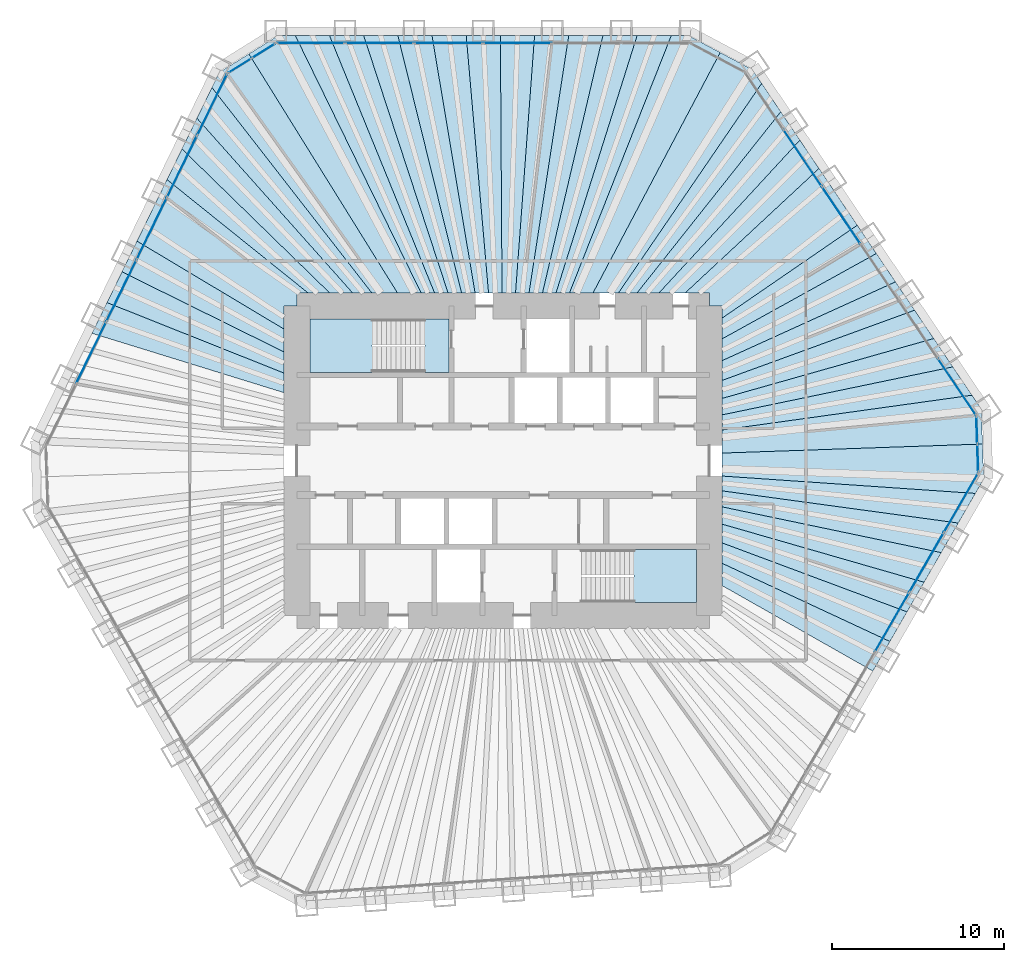
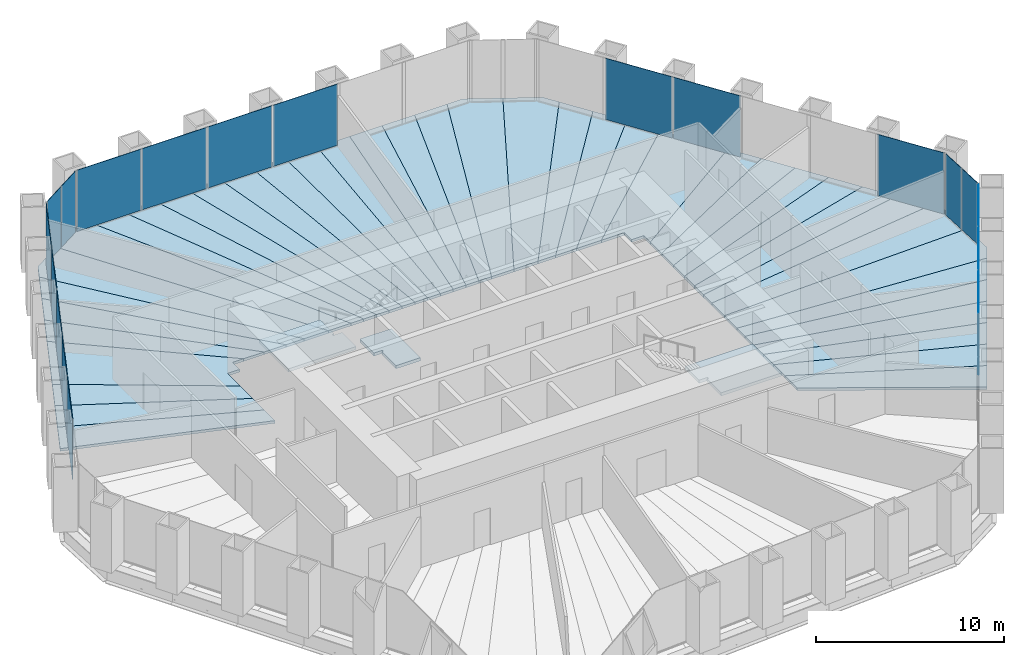
# One storey, part 9 of 13: 43 slabs, 19 plates, 8 elements without a shape of their own.
"""IFC4 building model written with IfcOpenShell, lengths in metres."""

from ifc_helpers import new_model, si_unit, direction, frame, origin, origin_2d, place, context, subcontext, project, spatial, polyline, rectangle, outline, extrude, material, layer, layer_set, type_object, element, aggregate, save


model = new_model("IFC4")

# Units and contexts
model_context = context("Model", 3, precision=1e-05, world=origin(), true_north=direction((0.0, 1.0)))
body_context = subcontext(model_context, "Body", "Model", "MODEL_VIEW")
ifc_project = project(units=[si_unit("LENGTHUNIT", "METRE"), si_unit("AREAUNIT", "SQUARE_METRE"), si_unit("VOLUMEUNIT", "CUBIC_METRE"), si_unit("PLANEANGLEUNIT", "RADIAN"), si_unit("MASSUNIT", "GRAM", prefix="KILO")], contexts=[model_context])

# Site, building, storey
site_placement = place(None, origin())
site = spatial("IfcSite", under=ifc_project, at=site_placement, CompositionType="ELEMENT")
building_placement = place(site_placement, origin())
building = spatial("IfcBuilding", under=site, at=building_placement, Name="Qingtian Harvest Tower", CompositionType="ELEMENT")
storey_placement = place(building_placement, frame((0.0, 0.0, 128.199951171875)))
storey = spatial("IfcBuildingStorey", under=building, at=storey_placement, Name="L26", CompositionType="ELEMENT", Elevation=128.199951171875)

# Slabs
ifc_material_1 = material(Name="Concrete fc' 35 MPa", Category="concrete")
ifc_layer_1 = layer(ifc_material_1, 0.169921875)
ifc_layer_set_1 = layer_set([ifc_layer_1], Name="Composite floor slab FS17 170")
slab_type_1 = type_object("IfcSlabType", Name="Composite floor slab FS17 170", PredefinedType="FLOOR", material=ifc_layer_set_1)
slab_1_placement = place(storey_placement, frame((0.0, 0.0, -0.169921875)))
element("IfcSlab", 1, at=slab_1_placement, inside=storey, type_object=slab_type_1, Name="Floor slab L26 panel D33", PredefinedType="FLOOR", context=body_context, shape_type="SweptSolid", body=[
    extrude(outline(polyline([(12.75, -5.97021484375), (22.51220703125, -10.517578125), (21.517333984375, -12.24072265625), (12.75, -7.268798828125), (12.75, -5.97021484375)])), origin(), (0.0, 0.0, 1.0), 0.169921875),
])
slab_2_placement = place(storey_placement, frame((0.0, 0.0, -0.169921875)))
element("IfcSlab", 2, at=slab_2_placement, inside=storey, type_object=slab_type_1, Name="Floor slab L26 panel D34", PredefinedType="FLOOR", context=body_context, shape_type="SweptSolid", body=[
    extrude(outline(polyline([(12.75, -4.78173828125), (23.50732421875, -8.794189453125), (22.51220703125, -10.517578125), (12.75, -5.97021484375), (12.75, -4.78173828125)])), origin(), (0.0, 0.0, 1.0), 0.169921875),
])
slab_3_placement = place(storey_placement, frame((0.0, 0.0, -0.169921875)))
element("IfcSlab", 3, at=slab_3_placement, inside=storey, type_object=slab_type_1, Name="Floor slab L26 panel D35", PredefinedType="FLOOR", context=body_context, shape_type="SweptSolid", body=[
    extrude(outline(polyline([(12.75, -3.68994140625), (24.502197265625, -7.071044921875), (23.50732421875, -8.794189453125), (12.75, -4.78173828125), (12.75, -3.68994140625)])), origin(), (0.0, 0.0, 1.0), 0.169921875),
])
slab_4_placement = place(storey_placement, frame((0.0, 0.0, -0.169921875)))
element("IfcSlab", 4, at=slab_4_placement, inside=storey, type_object=slab_type_1, Name="Floor slab L26 panel D36", PredefinedType="FLOOR", context=body_context, shape_type="SweptSolid", body=[
    extrude(outline(polyline([(12.75, -2.683349609375), (25.4970703125, -5.34765625), (24.502197265625, -7.071044921875), (12.75, -3.68994140625), (12.75, -2.683349609375)])), origin(), (0.0, 0.0, 1.0), 0.169921875),
])
slab_5_placement = place(storey_placement, frame((0.0, 0.0, -0.169921875)))
element("IfcSlab", 5, at=slab_5_placement, inside=storey, type_object=slab_type_1, Name="Floor slab L26 panel D37", PredefinedType="FLOOR", context=body_context, shape_type="SweptSolid", body=[
    extrude(outline(polyline([(12.75, -1.752685546875), (26.4921875, -3.624267578125), (25.4970703125, -5.34765625), (12.75, -2.683349609375), (12.75, -1.752685546875)])), origin(), (0.0, 0.0, 1.0), 0.169921875),
])
slab_6_placement = place(storey_placement, frame((0.0, 0.0, -0.169921875)))
element("IfcSlab", 6, at=slab_6_placement, inside=storey, type_object=slab_type_1, Name="Floor slab L26 panel D38", PredefinedType="FLOOR", context=body_context, shape_type="SweptSolid", body=[
    extrude(outline(polyline([(12.75, -0.889404296875), (27.487060546875, -1.901123046875), (26.4921875, -3.624267578125), (12.75, -1.752685546875), (12.75, -0.889404296875)])), origin(), (0.0, 0.0, 1.0), 0.169921875),
])
slab_7_placement = place(storey_placement, frame((0.0, 0.0, -0.169921875)))
element("IfcSlab", 7, at=slab_7_placement, inside=storey, type_object=slab_type_1, Name="Floor slab L26 panel D39", PredefinedType="FLOOR", context=body_context, shape_type="SweptSolid", body=[
    extrude(outline(polyline([(12.75, -0.889404296875), (12.75, 0.447509765625), (27.90185546875, 0.974365234375), (27.972900390625, -1.059814453125), (27.487060546875, -1.901123046875), (12.75, -0.889404296875)])), origin(), (0.0, 0.0, 1.0), 0.169921875),
])
slab_8_placement = place(storey_placement, frame((0.0, 0.0, -0.169921875)))
element("IfcSlab", 8, at=slab_8_placement, inside=storey, type_object=slab_type_1, Name="Floor slab L26 panel D40", PredefinedType="FLOOR", context=body_context, shape_type="SweptSolid", body=[
    extrude(outline(polyline([(12.75, 0.447509765625), (12.75, 1.79052734375), (27.287353515625, 3.81396484375), (27.830810546875, 3.008544921875), (27.90185546875, 0.974365234375), (12.75, 0.447509765625)])), origin(), (0.0, 0.0, 1.0), 0.169921875),
])
slab_9_placement = place(storey_placement, frame((0.0, 0.0, -0.169921875)))
element("IfcSlab", 9, at=slab_9_placement, inside=storey, type_object=slab_type_1, Name="Floor slab L26 panel D41", PredefinedType="FLOOR", context=body_context, shape_type="SweptSolid", body=[
    extrude(outline(polyline([(12.75, 2.671142578125), (26.1748046875, 5.463623046875), (27.287353515625, 3.81396484375), (12.75, 1.79052734375), (12.75, 2.671142578125)])), origin(), (0.0, 0.0, 1.0), 0.169921875),
])
slab_10_placement = place(storey_placement, frame((0.0, 0.0, -0.169921875)))
element("IfcSlab", 10, at=slab_10_placement, inside=storey, type_object=slab_type_1, Name="Floor slab L26 panel D42", PredefinedType="FLOOR", context=body_context, shape_type="SweptSolid", body=[
    extrude(outline(polyline([(12.75, 3.6298828125), (25.06201171875, 7.11328125), (26.1748046875, 5.463623046875), (12.75, 2.671142578125), (12.75, 3.6298828125)])), origin(), (0.0, 0.0, 1.0), 0.169921875),
])
slab_11_placement = place(storey_placement, frame((0.0, 0.0, -0.169921875)))
element("IfcSlab", 11, at=slab_11_placement, inside=storey, type_object=slab_type_1, Name="Floor slab L26 panel D43", PredefinedType="FLOOR", context=body_context, shape_type="SweptSolid", body=[
    extrude(outline(polyline([(12.75, 4.677734375), (23.94921875, 8.762939453125), (25.06201171875, 7.11328125), (12.75, 3.6298828125), (12.75, 4.677734375)])), origin(), (0.0, 0.0, 1.0), 0.169921875),
])
slab_12_placement = place(storey_placement, frame((0.0, 0.0, -0.169921875)))
element("IfcSlab", 12, at=slab_12_placement, inside=storey, type_object=slab_type_1, Name="Floor slab L26 panel D44", PredefinedType="FLOOR", context=body_context, shape_type="SweptSolid", body=[
    extrude(outline(polyline([(12.75, 5.828125), (22.83642578125, 10.41259765625), (23.94921875, 8.762939453125), (12.75, 4.677734375), (12.75, 5.828125)])), origin(), (0.0, 0.0, 1.0), 0.169921875),
])
slab_13_placement = place(storey_placement, frame((0.0, 0.0, -0.169921875)))
element("IfcSlab", 13, at=slab_13_placement, inside=storey, type_object=slab_type_1, Name="Floor slab L26 panel D45", PredefinedType="FLOOR", context=body_context, shape_type="SweptSolid", body=[
    extrude(outline(polyline([(12.75, 7.096435546875), (21.723876953125, 12.062255859375), (22.83642578125, 10.41259765625), (12.75, 5.828125), (12.75, 7.096435546875)])), origin(), (0.0, 0.0, 1.0), 0.169921875),
])
slab_14_placement = place(storey_placement, frame((0.0, 0.0, -0.169921875)))
element("IfcSlab", 14, at=slab_14_placement, inside=storey, type_object=slab_type_1, Name="Floor slab L26 panel D46", PredefinedType="FLOOR", context=body_context, shape_type="SweptSolid", body=[
    extrude(outline(polyline([(12.75, 8.30615234375), (20.61328125, 13.708740234375), (21.723876953125, 12.062255859375), (12.75, 7.096435546875), (12.75, 8.30615234375)])), origin(), (0.0, 0.0, 1.0), 0.169921875),
])
slab_15_placement = place(storey_placement, frame((0.0, 0.0, -0.169921875)))
element("IfcSlab", 15, at=slab_15_placement, inside=storey, type_object=slab_type_1, Name="Floor slab L26 panel D48", PredefinedType="FLOOR", context=body_context, shape_type="SweptSolid", body=[
    extrude(outline(polyline([(18.38623046875, 17.010498046875), (20.61328125, 13.708740234375), (12.75, 8.30615234375), (12.75, 9.0), (12.0, 9.0), (12.0, 9.75), (10.578369140625, 9.75), (18.38623046875, 17.010498046875)])), origin(), (0.0, 0.0, 1.0), 0.169921875),
])
slab_16_placement = place(storey_placement, frame((0.0, 0.0, -0.169921875)))
element("IfcSlab", 16, at=slab_16_placement, inside=storey, type_object=slab_type_1, Name="Floor slab L26 panel D49", PredefinedType="FLOOR", context=body_context, shape_type="SweptSolid", body=[
    extrude(outline(polyline([(9.0556640625, 9.75), (17.2734375, 18.66015625), (18.38623046875, 17.010498046875), (10.578369140625, 9.75), (9.0556640625, 9.75)])), origin(), (0.0, 0.0, 1.0), 0.169921875),
])
slab_17_placement = place(storey_placement, frame((0.0, 0.0, -0.169921875)))
element("IfcSlab", 17, at=slab_17_placement, inside=storey, type_object=slab_type_1, Name="Floor slab L26 panel D50", PredefinedType="FLOOR", context=body_context, shape_type="SweptSolid", body=[
    extrude(outline(polyline([(7.781494140625, 9.75), (16.16064453125, 20.31005859375), (17.2734375, 18.66015625), (9.0556640625, 9.75), (7.781494140625, 9.75)])), origin(), (0.0, 0.0, 1.0), 0.169921875),
])
slab_18_placement = place(storey_placement, frame((0.0, 0.0, -0.169921875)))
element("IfcSlab", 18, at=slab_18_placement, inside=storey, type_object=slab_type_1, Name="Floor slab L26 panel D51", PredefinedType="FLOOR", context=body_context, shape_type="SweptSolid", body=[
    extrude(outline(polyline([(6.69970703125, 9.75), (15.0478515625, 21.959716796875), (16.16064453125, 20.31005859375), (7.781494140625, 9.75), (6.69970703125, 9.75)])), origin(), (0.0, 0.0, 1.0), 0.169921875),
])
slab_19_placement = place(storey_placement, frame((0.0, 0.0, -0.169921875)))
element("IfcSlab", 19, at=slab_19_placement, inside=storey, type_object=slab_type_1, Name="Floor slab L26 panel D52", PredefinedType="FLOOR", context=body_context, shape_type="SweptSolid", body=[
    extrude(outline(polyline([(6.69970703125, 9.75), (5.224609375, 9.75), (12.634033203125, 23.759765625), (14.504638671875, 22.765380859375), (15.0478515625, 21.959716796875), (6.69970703125, 9.75)])), origin(), (0.0, 0.0, 1.0), 0.169921875),
])
slab_20_placement = place(storey_placement, frame((0.0, 0.0, -0.169921875)))
element("IfcSlab", 20, at=slab_20_placement, inside=storey, type_object=slab_type_1, Name="Floor slab L26 panel D53", PredefinedType="FLOOR", context=body_context, shape_type="SweptSolid", body=[
    extrude(outline(polyline([(3.856201171875, 9.75), (9.791015625, 24.7548828125), (10.762451171875, 24.7548828125), (12.634033203125, 23.759765625), (5.224609375, 9.75), (3.856201171875, 9.75)])), origin(), (0.0, 0.0, 1.0), 0.169921875),
])
slab_21_placement = place(storey_placement, frame((0.0, 0.0, -0.169921875)))
element("IfcSlab", 21, at=slab_21_placement, inside=storey, type_object=slab_type_1, Name="Floor slab L26 panel D54", PredefinedType="FLOOR", context=body_context, shape_type="SweptSolid", body=[
    extrude(outline(polyline([(3.072509765625, 9.75), (7.80126953125, 24.7548828125), (9.791015625, 24.7548828125), (3.856201171875, 9.75), (3.072509765625, 9.75)])), origin(), (0.0, 0.0, 1.0), 0.169921875),
])
slab_22_placement = place(storey_placement, frame((0.0, 0.0, -0.169921875)))
element("IfcSlab", 22, at=slab_22_placement, inside=storey, type_object=slab_type_1, Name="Floor slab L26 panel D55", PredefinedType="FLOOR", context=body_context, shape_type="SweptSolid", body=[
    extrude(outline(polyline([(2.288818359375, 9.75), (5.811279296875, 24.7548828125), (7.80126953125, 24.7548828125), (3.072509765625, 9.75), (2.288818359375, 9.75)])), origin(), (0.0, 0.0, 1.0), 0.169921875),
])
slab_23_placement = place(storey_placement, frame((0.0, 0.0, -0.169921875)))
element("IfcSlab", 23, at=slab_23_placement, inside=storey, type_object=slab_type_1, Name="Floor slab L26 panel D56", PredefinedType="FLOOR", context=body_context, shape_type="SweptSolid", body=[
    extrude(outline(polyline([(1.505126953125, 9.75), (3.821533203125, 24.7548828125), (5.811279296875, 24.7548828125), (2.288818359375, 9.75), (1.505126953125, 9.75)])), origin(), (0.0, 0.0, 1.0), 0.169921875),
])
slab_24_placement = place(storey_placement, frame((0.0, 0.0, -0.169921875)))
element("IfcSlab", 24, at=slab_24_placement, inside=storey, type_object=slab_type_1, Name="Floor slab L26 panel D57", PredefinedType="FLOOR", context=body_context, shape_type="SweptSolid", body=[
    extrude(outline(polyline([(0.721435546875, 9.75), (1.831787109375, 24.7548828125), (3.821533203125, 24.7548828125), (1.505126953125, 9.75), (0.721435546875, 9.75)])), origin(), (0.0, 0.0, 1.0), 0.169921875),
])
slab_25_placement = place(storey_placement, frame((0.0, 0.0, -0.169921875)))
element("IfcSlab", 25, at=slab_25_placement, inside=storey, type_object=slab_type_1, Name="Floor slab L26 panel D58", PredefinedType="FLOOR", context=body_context, shape_type="SweptSolid", body=[
    extrude(outline(polyline([(-0.062255859375, 9.75), (-0.158203125, 24.7548828125), (1.831787109375, 24.7548828125), (0.721435546875, 9.75), (-0.062255859375, 9.75)])), origin(), (0.0, 0.0, 1.0), 0.169921875),
])
slab_26_placement = place(storey_placement, frame((0.0, 0.0, -0.169921875)))
element("IfcSlab", 26, at=slab_26_placement, inside=storey, type_object=slab_type_1, Name="Floor slab L26 panel D59", PredefinedType="FLOOR", context=body_context, shape_type="SweptSolid", body=[
    extrude(outline(polyline([(-0.845947265625, 9.75), (-2.14794921875, 24.7548828125), (-0.158203125, 24.7548828125), (-0.062255859375, 9.75), (-0.845947265625, 9.75)])), origin(), (0.0, 0.0, 1.0), 0.169921875),
])
slab_27_placement = place(storey_placement, frame((0.0, 0.0, -0.169921875)))
element("IfcSlab", 27, at=slab_27_placement, inside=storey, type_object=slab_type_1, Name="Floor slab L26 panel D60", PredefinedType="FLOOR", context=body_context, shape_type="SweptSolid", body=[
    extrude(outline(polyline([(-1.629638671875, 9.75), (-4.137939453125, 24.7548828125), (-2.14794921875, 24.7548828125), (-0.845947265625, 9.75), (-1.629638671875, 9.75)])), origin(), (0.0, 0.0, 1.0), 0.169921875),
])
slab_28_placement = place(storey_placement, frame((0.0, 0.0, -0.169921875)))
element("IfcSlab", 28, at=slab_28_placement, inside=storey, type_object=slab_type_1, Name="Floor slab L26 panel D61", PredefinedType="FLOOR", context=body_context, shape_type="SweptSolid", body=[
    extrude(outline(polyline([(-2.41357421875, 9.75), (-6.127685546875, 24.7548828125), (-4.137939453125, 24.7548828125), (-1.629638671875, 9.75), (-2.41357421875, 9.75)])), origin(), (0.0, 0.0, 1.0), 0.169921875),
])
slab_29_placement = place(storey_placement, frame((0.0, 0.0, -0.169921875)))
element("IfcSlab", 29, at=slab_29_placement, inside=storey, type_object=slab_type_1, Name="Floor slab L26 panel D62", PredefinedType="FLOOR", context=body_context, shape_type="SweptSolid", body=[
    extrude(outline(polyline([(-3.197265625, 9.75), (-8.117431640625, 24.7548828125), (-6.127685546875, 24.7548828125), (-2.41357421875, 9.75), (-3.197265625, 9.75)])), origin(), (0.0, 0.0, 1.0), 0.169921875),
])
slab_30_placement = place(storey_placement, frame((0.0, 0.0, -0.169921875)))
element("IfcSlab", 30, at=slab_30_placement, inside=storey, type_object=slab_type_1, Name="Floor slab L26 panel D63", PredefinedType="FLOOR", context=body_context, shape_type="SweptSolid", body=[
    extrude(outline(polyline([(-3.98095703125, 9.75), (-10.107421875, 24.7548828125), (-8.117431640625, 24.7548828125), (-3.197265625, 9.75), (-3.98095703125, 9.75)])), origin(), (0.0, 0.0, 1.0), 0.169921875),
])
slab_31_placement = place(storey_placement, frame((0.0, 0.0, -0.169921875)))
element("IfcSlab", 31, at=slab_31_placement, inside=storey, type_object=slab_type_1, Name="Floor slab L26 panel D64", PredefinedType="FLOOR", context=body_context, shape_type="SweptSolid", body=[
    extrude(outline(polyline([(-4.7646484375, 9.75), (-12.09716796875, 24.7548828125), (-10.107421875, 24.7548828125), (-3.98095703125, 9.75), (-4.7646484375, 9.75)])), origin(), (0.0, 0.0, 1.0), 0.169921875),
])
slab_32_placement = place(storey_placement, frame((0.0, 0.0, -0.169921875)))
element("IfcSlab", 32, at=slab_32_placement, inside=storey, type_object=slab_type_1, Name="Floor slab L26 panel D65", PredefinedType="FLOOR", context=body_context, shape_type="SweptSolid", body=[
    extrude(outline(polyline([(-4.7646484375, 9.75), (-6.13671875, 9.75), (-14.795166015625, 23.676025390625), (-13.068603515625, 24.7548828125), (-12.09716796875, 24.7548828125), (-4.7646484375, 9.75)])), origin(), (0.0, 0.0, 1.0), 0.169921875),
])
slab_33_placement = place(storey_placement, frame((0.0, 0.0, -0.169921875)))
element("IfcSlab", 33, at=slab_33_placement, inside=storey, type_object=slab_type_1, Name="Floor slab L26 panel D66", PredefinedType="FLOOR", context=body_context, shape_type="SweptSolid", body=[
    extrude(outline(polyline([(-6.13671875, 9.75), (-7.62646484375, 9.75), (-16.94677734375, 21.724609375), (-16.520751953125, 22.597900390625), (-14.795166015625, 23.676025390625), (-6.13671875, 9.75)])), origin(), (0.0, 0.0, 1.0), 0.169921875),
])
slab_34_placement = place(storey_placement, frame((0.0, 0.0, -0.169921875)))
element("IfcSlab", 34, at=slab_34_placement, inside=storey, type_object=slab_type_1, Name="Floor slab L26 panel D67", PredefinedType="FLOOR", context=body_context, shape_type="SweptSolid", body=[
    extrude(outline(polyline([(-8.74169921875, 9.75), (-17.819091796875, 19.93603515625), (-16.94677734375, 21.724609375), (-7.62646484375, 9.75), (-8.74169921875, 9.75)])), origin(), (0.0, 0.0, 1.0), 0.169921875),
])
slab_35_placement = place(storey_placement, frame((0.0, 0.0, -0.169921875)))
element("IfcSlab", 35, at=slab_35_placement, inside=storey, type_object=slab_type_1, Name="Floor slab L26 panel D68", PredefinedType="FLOOR", context=body_context, shape_type="SweptSolid", body=[
    extrude(outline(polyline([(-10.077880859375, 9.75), (-18.69140625, 18.1474609375), (-17.819091796875, 19.93603515625), (-8.74169921875, 9.75), (-10.077880859375, 9.75)])), origin(), (0.0, 0.0, 1.0), 0.169921875),
])
slab_36_placement = place(storey_placement, frame((0.0, 0.0, -0.169921875)))
element("IfcSlab", 36, at=slab_36_placement, inside=storey, type_object=slab_type_1, Name="Floor slab L26 panel D69", PredefinedType="FLOOR", context=body_context, shape_type="SweptSolid", body=[
    extrude(outline(polyline([(-11.329345703125, 9.75), (-19.561279296875, 16.364013671875), (-18.69140625, 18.1474609375), (-10.077880859375, 9.75), (-11.329345703125, 9.75)])), origin(), (0.0, 0.0, 1.0), 0.169921875),
])
slab_37_placement = place(storey_placement, frame((0.0, 0.0, -0.169921875)))
element("IfcSlab", 37, at=slab_37_placement, inside=storey, type_object=slab_type_1, Name="Floor slab L26 panel D70", PredefinedType="FLOOR", context=body_context, shape_type="SweptSolid", body=[
    extrude(outline(polyline([(-12.0, 9.0), (-12.75, 9.0), (-12.75, 7.662841796875), (-21.307861328125, 12.78271484375), (-19.561279296875, 16.364013671875), (-11.329345703125, 9.75), (-12.0, 9.75), (-12.0, 9.0)])), origin(), (0.0, 0.0, 1.0), 0.169921875),
])
slab_38_placement = place(storey_placement, frame((0.0, 0.0, -0.169921875)))
element("IfcSlab", 38, at=slab_38_placement, inside=storey, type_object=slab_type_1, Name="Floor slab L26 panel D72", PredefinedType="FLOOR", context=body_context, shape_type="SweptSolid", body=[
    extrude(outline(polyline([(-12.75, 6.332275390625), (-22.18017578125, 10.994384765625), (-21.307861328125, 12.78271484375), (-12.75, 7.662841796875), (-12.75, 6.332275390625)])), origin(), (0.0, 0.0, 1.0), 0.169921875),
])
slab_39_placement = place(storey_placement, frame((0.0, 0.0, -0.169921875)))
element("IfcSlab", 39, at=slab_39_placement, inside=storey, type_object=slab_type_1, Name="Floor slab L26 panel D73", PredefinedType="FLOOR", context=body_context, shape_type="SweptSolid", body=[
    extrude(outline(polyline([(-12.75, 5.1025390625), (-23.052490234375, 9.205810546875), (-22.18017578125, 10.994384765625), (-12.75, 6.332275390625), (-12.75, 5.1025390625)])), origin(), (0.0, 0.0, 1.0), 0.169921875),
])
slab_40_placement = place(storey_placement, frame((0.0, 0.0, -0.169921875)))
element("IfcSlab", 40, at=slab_40_placement, inside=storey, type_object=slab_type_1, Name="Floor slab L26 panel D74", PredefinedType="FLOOR", context=body_context, shape_type="SweptSolid", body=[
    extrude(outline(polyline([(-12.75, 3.962646484375), (-23.9248046875, 7.417236328125), (-23.052490234375, 9.205810546875), (-12.75, 5.1025390625), (-12.75, 3.962646484375)])), origin(), (0.0, 0.0, 1.0), 0.169921875),
])

# Curtain wall, plates
ifc_material_2 = material(Name="Bronze-anodised aluminium curtain wall", Category="aluminium")
curtain_wall_type = type_object("IfcCurtainWallType", Name="Curtain wall CW4 office", PredefinedType="USERDEFINED", material=ifc_material_2)
curtain_wall_1_placement = place(storey_placement, origin())
curtain_wall_1 = element("IfcCurtainWall", 41, at=curtain_wall_1_placement, inside=storey, type_object=curtain_wall_type, Name="Curtain wall CW4 L26 N0-5", ObjectType="RECESSED CURTAIN WALL", PredefinedType="USERDEFINED")
ifc_material_3 = material(Name="Bronze-tinted laminated insulating glass", Category="glass")
ifc_layer_2 = layer(ifc_material_3, 0.030029296875)
ifc_layer_set_2 = layer_set([ifc_layer_2], Name="Glazed panel CWP tinted IGU")
plate_type = type_object("IfcPlateType", Name="Glazed panel CWP tinted IGU", PredefinedType="CURTAIN_PANEL", material=ifc_layer_set_2)
plate_1_placement = place(storey_placement, frame((-11.196044921875, 24.300048828125, 0.06494140625), z_axis=(0.0, 0.0, 1.0), x_axis=(1.0, 0.0, 0.0)))
plate_1 = element("IfcPlate", 42, at=plate_1_placement, type_object=plate_type, Name="CW4 panel 1.1", PredefinedType="CURTAIN_PANEL", context=body_context, shape_type="SweptSolid", body=[
    extrude(rectangle(XDim=3.921630859375, YDim=0.030029296875, at=origin_2d()), origin(), (0.0, 0.0, 1.0), 3.965087890625),
])
plate_2_placement = place(storey_placement, frame((-7.193115234375, 24.300048828125, 0.06494140625), z_axis=(0.0, 0.0, 1.0), x_axis=(1.0, 0.0, 0.0)))
plate_2 = element("IfcPlate", 43, at=plate_2_placement, type_object=plate_type, Name="CW4 panel 2.1", PredefinedType="CURTAIN_PANEL", context=body_context, shape_type="SweptSolid", body=[
    extrude(rectangle(XDim=3.9541015625, YDim=0.030029296875, at=origin_2d()), origin(), (0.0, 0.0, 1.0), 3.965087890625),
])
plate_3_placement = place(storey_placement, frame((-3.174072265625, 24.300048828125, 0.06494140625), z_axis=(0.0, 0.0, 1.0), x_axis=(1.0, 0.0, 0.0)))
plate_3 = element("IfcPlate", 44, at=plate_3_placement, type_object=plate_type, Name="CW4 panel 3.1", PredefinedType="CURTAIN_PANEL", context=body_context, shape_type="SweptSolid", body=[
    extrude(rectangle(XDim=3.9541015625, YDim=0.030029296875, at=origin_2d()), origin(), (0.0, 0.0, 1.0), 3.965087890625),
])
plate_4_placement = place(storey_placement, frame((0.844970703125, 24.300048828125, 0.06494140625), z_axis=(0.0, 0.0, 1.0), x_axis=(1.0, 0.0, 0.0)))
plate_4 = element("IfcPlate", 45, at=plate_4_placement, type_object=plate_type, Name="CW4 panel 4.1", PredefinedType="CURTAIN_PANEL", context=body_context, shape_type="SweptSolid", body=[
    extrude(rectangle(XDim=3.9541015625, YDim=0.030029296875, at=origin_2d()), origin(), (0.0, 0.0, 1.0), 3.965087890625),
])
aggregate(curtain_wall_1, [plate_1, plate_2, plate_3, plate_4])

curtain_wall_2_placement = place(storey_placement, origin())
curtain_wall_2 = element("IfcCurtainWall", 46, at=curtain_wall_2_placement, inside=storey, type_object=curtain_wall_type, Name="Curtain wall CW4 L26 NE0-5", ObjectType="RECESSED CURTAIN WALL", PredefinedType="USERDEFINED")
plate_5_placement = place(storey_placement, frame((17.425537109375, 17.620849609375, 0.06494140625), z_axis=(0.0, 0.0, 1.0), x_axis=(0.559192903471, -0.829037572555, 0.0)))
plate_5 = element("IfcPlate", 47, at=plate_5_placement, type_object=plate_type, Name="CW4 panel 2.1", PredefinedType="CURTAIN_PANEL", context=body_context, shape_type="SweptSolid", body=[
    extrude(rectangle(XDim=3.9541015625, YDim=0.030029296875, at=origin_2d()), origin(), (0.0, 0.0, 1.0), 3.965087890625),
])
plate_6_placement = place(storey_placement, frame((19.673095703125, 14.2890625, 0.06494140625), z_axis=(0.0, 0.0, 1.0), x_axis=(0.559192903471, -0.829037572555, 0.0)))
plate_6 = element("IfcPlate", 48, at=plate_6_placement, type_object=plate_type, Name="CW4 panel 3.1", PredefinedType="CURTAIN_PANEL", context=body_context, shape_type="SweptSolid", body=[
    extrude(rectangle(XDim=3.9541015625, YDim=0.030029296875, at=origin_2d()), origin(), (0.0, 0.0, 1.0), 3.965087890625),
])
plate_7_placement = place(storey_placement, frame((26.40625, 4.306640625, 0.06494140625), z_axis=(0.0, 0.0, 1.0), x_axis=(0.559192903471, -0.829037572555, 0.0)))
plate_7 = element("IfcPlate", 49, at=plate_7_placement, type_object=plate_type, Name="CW4 panel 6.1", PredefinedType="CURTAIN_PANEL", context=body_context, shape_type="SweptSolid", body=[
    extrude(rectangle(XDim=3.921630859375, YDim=0.030029296875, at=origin_2d()), origin(), (0.0, 0.0, 1.0), 3.965087890625),
])
aggregate(curtain_wall_2, [plate_5, plate_6, plate_7])

curtain_wall_3_placement = place(storey_placement, origin())
curtain_wall_3 = element("IfcCurtainWall", 50, at=curtain_wall_3_placement, inside=storey, type_object=curtain_wall_type, Name="Curtain wall CW4 L26 NEC", ObjectType="RECESSED CURTAIN WALL", PredefinedType="USERDEFINED")
plate_8_placement = place(storey_placement, frame((27.568603515625, 1.779052734375, 0.06494140625), z_axis=(0.0, 0.0, 1.0), x_axis=(0.034899496703, -0.999390827019, 0.0)))
plate_8 = element("IfcPlate", 51, at=plate_8_placement, type_object=plate_type, Name="CW4 panel 1.1", PredefinedType="CURTAIN_PANEL", context=body_context, shape_type="SweptSolid", body=[
    extrude(rectangle(XDim=1.56689453125, YDim=0.030029296875, at=origin_2d()), origin(), (0.0, 0.0, 1.0), 3.965087890625),
])
plate_9_placement = place(storey_placement, frame((27.625732421875, 0.148193359375, 0.06494140625), z_axis=(0.0, 0.0, 1.0), x_axis=(0.034899496703, -0.999390827019, 0.0)))
plate_9 = element("IfcPlate", 52, at=plate_9_placement, type_object=plate_type, Name="CW4 panel 2.1", PredefinedType="CURTAIN_PANEL", context=body_context, shape_type="SweptSolid", body=[
    extrude(rectangle(XDim=1.56689453125, YDim=0.030029296875, at=origin_2d()), origin(), (0.0, 0.0, 1.0), 3.965087890625),
])
aggregate(curtain_wall_3, [plate_8, plate_9])

curtain_wall_4_placement = place(storey_placement, origin())
curtain_wall_4 = element("IfcCurtainWall", 53, at=curtain_wall_4_placement, inside=storey, type_object=curtain_wall_type, Name="Curtain wall CW4 L26 SE0-5", ObjectType="RECESSED CURTAIN WALL", PredefinedType="USERDEFINED")
plate_10_placement = place(storey_placement, frame((26.642333984375, -2.4541015625, 0.06494140625), z_axis=(0.0, 0.0, 1.0), x_axis=(-0.5, -0.866025403784, 0.0)))
plate_10 = element("IfcPlate", 54, at=plate_10_placement, type_object=plate_type, Name="CW4 panel 1.1", PredefinedType="CURTAIN_PANEL", context=body_context, shape_type="SweptSolid", body=[
    extrude(rectangle(XDim=3.921630859375, YDim=0.030029296875, at=origin_2d()), origin(), (0.0, 0.0, 1.0), 3.965087890625),
])
plate_11_placement = place(storey_placement, frame((24.640869140625, -5.920654296875, 0.06494140625), z_axis=(0.0, 0.0, 1.0), x_axis=(-0.5, -0.866025403784, 0.0)))
plate_11 = element("IfcPlate", 55, at=plate_11_placement, type_object=plate_type, Name="CW4 panel 2.1", PredefinedType="CURTAIN_PANEL", context=body_context, shape_type="SweptSolid", body=[
    extrude(rectangle(XDim=3.9541015625, YDim=0.030029296875, at=origin_2d()), origin(), (0.0, 0.0, 1.0), 3.965087890625),
])
plate_12_placement = place(storey_placement, frame((22.63134765625, -9.401123046875, 0.06494140625), z_axis=(0.0, 0.0, 1.0), x_axis=(-0.5, -0.866025403784, 0.0)))
plate_12 = element("IfcPlate", 56, at=plate_12_placement, type_object=plate_type, Name="CW4 panel 3.1", PredefinedType="CURTAIN_PANEL", context=body_context, shape_type="SweptSolid", body=[
    extrude(rectangle(XDim=3.9541015625, YDim=0.030029296875, at=origin_2d()), origin(), (0.0, 0.0, 1.0), 3.965087890625),
])
aggregate(curtain_wall_4, [plate_10, plate_11, plate_12])

curtain_wall_5_placement = place(storey_placement, origin())
curtain_wall_5 = element("IfcCurtainWall", 57, at=curtain_wall_5_placement, inside=storey, type_object=curtain_wall_type, Name="Curtain wall CW4 L26 NW0-5", ObjectType="RECESSED CURTAIN WALL", PredefinedType="USERDEFINED")
plate_13_placement = place(storey_placement, frame((-23.972900390625, 6.280517578125, 0.06494140625), z_axis=(0.0, 0.0, 1.0), x_axis=(0.438371146789, 0.898794046299, 0.0)))
plate_13 = element("IfcPlate", 58, at=plate_13_placement, type_object=plate_type, Name="CW4 panel 2.1", PredefinedType="CURTAIN_PANEL", context=body_context, shape_type="SweptSolid", body=[
    extrude(rectangle(XDim=3.9541015625, YDim=0.030029296875, at=origin_2d()), origin(), (0.0, 0.0, 1.0), 3.965087890625),
])
plate_14_placement = place(storey_placement, frame((-22.211181640625, 9.892822265625, 0.06494140625), z_axis=(0.0, 0.0, 1.0), x_axis=(0.438371146789, 0.898794046299, 0.0)))
plate_14 = element("IfcPlate", 59, at=plate_14_placement, type_object=plate_type, Name="CW4 panel 3.1", PredefinedType="CURTAIN_PANEL", context=body_context, shape_type="SweptSolid", body=[
    extrude(rectangle(XDim=3.9541015625, YDim=0.030029296875, at=origin_2d()), origin(), (0.0, 0.0, 1.0), 3.965087890625),
])
plate_15_placement = place(storey_placement, frame((-20.44921875, 13.505126953125, 0.06494140625), z_axis=(0.0, 0.0, 1.0), x_axis=(0.438371146789, 0.898794046299, 0.0)))
plate_15 = element("IfcPlate", 60, at=plate_15_placement, type_object=plate_type, Name="CW4 panel 4.1", PredefinedType="CURTAIN_PANEL", context=body_context, shape_type="SweptSolid", body=[
    extrude(rectangle(XDim=3.9541015625, YDim=0.030029296875, at=origin_2d()), origin(), (0.0, 0.0, 1.0), 3.965087890625),
])
plate_16_placement = place(storey_placement, frame((-18.6875, 17.117431640625, 0.06494140625), z_axis=(0.0, 0.0, 1.0), x_axis=(0.438371146789, 0.898794046299, 0.0)))
plate_16 = element("IfcPlate", 61, at=plate_16_placement, type_object=plate_type, Name="CW4 panel 5.1", PredefinedType="CURTAIN_PANEL", context=body_context, shape_type="SweptSolid", body=[
    extrude(rectangle(XDim=3.9541015625, YDim=0.030029296875, at=origin_2d()), origin(), (0.0, 0.0, 1.0), 3.965087890625),
])
plate_17_placement = place(storey_placement, frame((-16.9326171875, 20.71533203125, 0.06494140625), z_axis=(0.0, 0.0, 1.0), x_axis=(0.438371146789, 0.898794046299, 0.0)))
plate_17 = element("IfcPlate", 62, at=plate_17_placement, type_object=plate_type, Name="CW4 panel 6.1", PredefinedType="CURTAIN_PANEL", context=body_context, shape_type="SweptSolid", body=[
    extrude(rectangle(XDim=3.921630859375, YDim=0.030029296875, at=origin_2d()), origin(), (0.0, 0.0, 1.0), 3.965087890625),
])
aggregate(curtain_wall_5, [plate_13, plate_14, plate_15, plate_16, plate_17])

curtain_wall_6_placement = place(storey_placement, origin())
curtain_wall_6 = element("IfcCurtainWall", 63, at=curtain_wall_6_placement, inside=storey, type_object=curtain_wall_type, Name="Curtain wall CW4 L26 NWC", ObjectType="RECESSED CURTAIN WALL", PredefinedType="USERDEFINED")
plate_18_placement = place(storey_placement, frame((-15.3251953125, 22.985595703125, 0.06494140625), z_axis=(0.0, 0.0, 1.0), x_axis=(0.848048096156, 0.529919264233, 0.0)))
plate_18 = element("IfcPlate", 64, at=plate_18_placement, type_object=plate_type, Name="CW4 panel 1.1", PredefinedType="CURTAIN_PANEL", context=body_context, shape_type="SweptSolid", body=[
    extrude(rectangle(XDim=1.56689453125, YDim=0.030029296875, at=origin_2d()), origin(), (0.0, 0.0, 1.0), 3.965087890625),
])
plate_19_placement = place(storey_placement, frame((-13.941162109375, 23.850341796875, 0.06494140625), z_axis=(0.0, 0.0, 1.0), x_axis=(0.848048096156, 0.529919264233, 0.0)))
plate_19 = element("IfcPlate", 65, at=plate_19_placement, type_object=plate_type, Name="CW4 panel 2.1", PredefinedType="CURTAIN_PANEL", context=body_context, shape_type="SweptSolid", body=[
    extrude(rectangle(XDim=1.56689453125, YDim=0.030029296875, at=origin_2d()), origin(), (0.0, 0.0, 1.0), 3.965087890625),
])
aggregate(curtain_wall_6, [plate_18, plate_19])

# Stair, slabs
ifc_material_4 = material(Name="Concrete fc' 35 MPa", Category="concrete")
stair_type = type_object("IfcStairType", Name="Special stair ST3 4200", PredefinedType="HALF_TURN_STAIR", material=ifc_material_4)
stair_1_placement = place(storey_placement, origin())
stair_1 = element("IfcStair", 66, at=stair_1_placement, inside=storey, type_object=stair_type, Name="Special stair S1 L26", PredefinedType="HALF_TURN_STAIR")
ifc_material_5 = material(Name="Concrete fc' 35 MPa", Category="concrete")
ifc_layer_3 = layer(ifc_material_5, 0.199951171875)
ifc_layer_set_3 = layer_set([ifc_layer_3], Name="Stair landing SL2 200")
slab_type_2 = type_object("IfcSlabType", Name="Stair landing SL2 200", PredefinedType="LANDING", material=ifc_layer_set_3)
slab_41_placement = place(storey_placement, frame((0.0, 0.0, -0.199951171875)))
slab_41 = element("IfcSlab", 67, at=slab_41_placement, type_object=slab_type_2, Name="S1 landing 1", PredefinedType="LANDING", context=body_context, shape_type="SweptSolid", body=[
    extrude(outline(polyline([(-4.64990234375, 5.14990234375), (-4.64990234375, 6.64990234375), (-4.550048828125, 6.64990234375), (-4.550048828125, 6.75), (-5.0849609375, 6.75), (-5.0849609375, 8.25), (-3.14990234375, 8.25), (-3.14990234375, 5.14990234375), (-4.64990234375, 5.14990234375)])), origin(), (0.0, 0.0, 1.0), 0.199951171875),
])
slab_42_placement = place(storey_placement, frame((0.0, 0.0, 1.900146484375)))
slab_42 = element("IfcSlab", 68, at=slab_42_placement, type_object=slab_type_2, Name="S1 landing 2", PredefinedType="LANDING", context=body_context, shape_type="SweptSolid", body=[
    extrude(outline(polyline([(-7.094970703125, 5.14990234375), (-11.25, 5.14990234375), (-11.25, 8.25), (-7.530029296875, 8.25), (-7.530029296875, 6.75), (-7.6298828125, 6.75), (-7.6298828125, 6.64990234375), (-7.094970703125, 6.64990234375), (-7.094970703125, 5.14990234375)])), origin(), (0.0, 0.0, 1.0), 0.199951171875),
])
aggregate(stair_1, [slab_41, slab_42])

# Stair, slab
stair_2_placement = place(storey_placement, origin())
stair_2 = element("IfcStair", 69, at=stair_2_placement, inside=storey, type_object=stair_type, Name="Special stair S2 L26", PredefinedType="HALF_TURN_STAIR")
slab_43_placement = place(storey_placement, frame((0.0, 0.0, 1.900146484375)))
slab_43 = element("IfcSlab", 70, at=slab_43_placement, type_object=slab_type_2, Name="S2 landing 2", PredefinedType="LANDING", context=body_context, shape_type="SweptSolid", body=[
    extrude(outline(polyline([(7.530029296875, -8.25), (7.530029296875, -6.75), (7.6298828125, -6.75), (7.6298828125, -6.64990234375), (7.094970703125, -6.64990234375), (7.094970703125, -5.14990234375), (11.25, -5.14990234375), (11.25, -8.25), (7.530029296875, -8.25)])), origin(), (0.0, 0.0, 1.0), 0.199951171875),
])
aggregate(stair_2, [slab_43])

save(model, "model.ifc")
